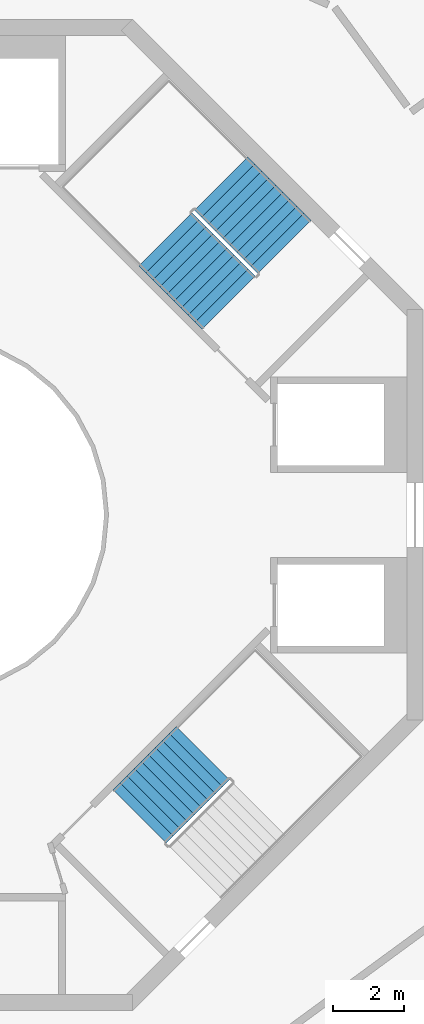
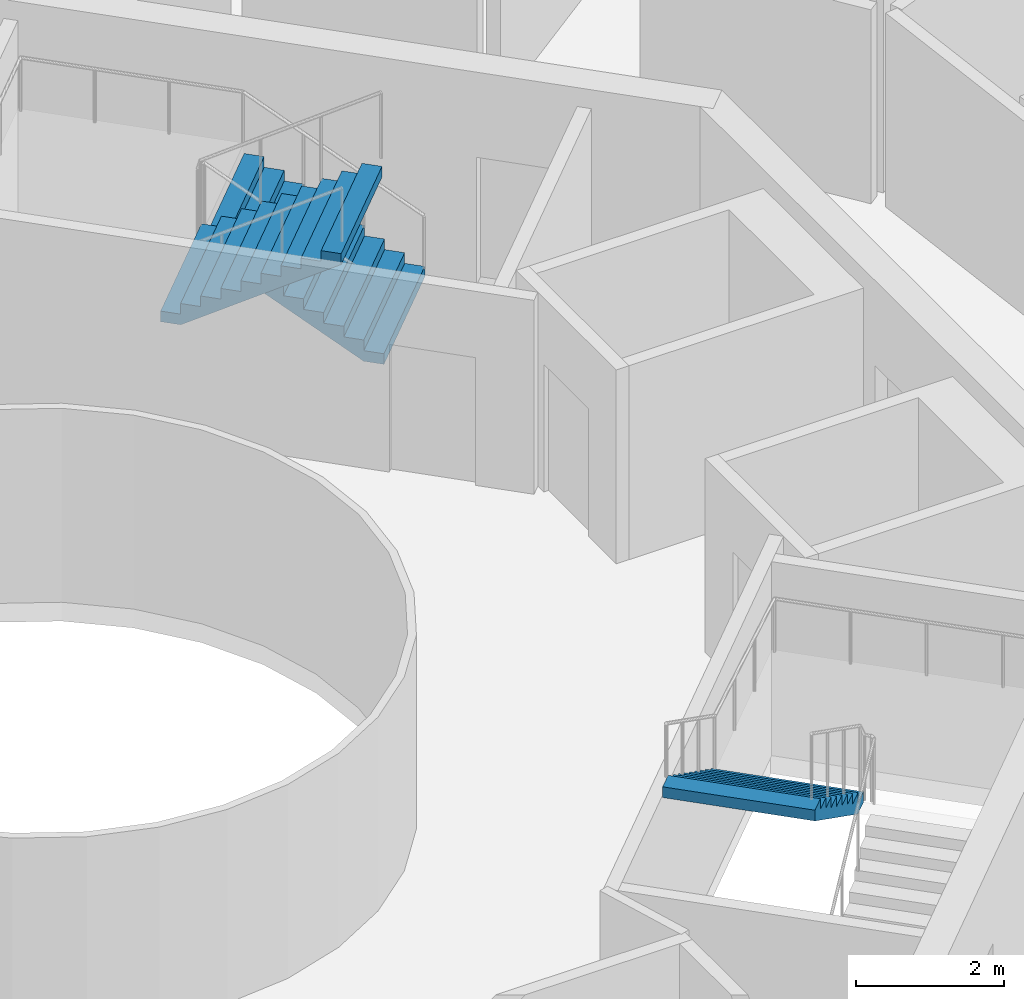
# One storey, part 23 of 24: 3 stair flights, 2 elements without a shape of their own.
"""IFC4 building model written with IfcOpenShell, lengths in metres."""

import ifcopenshell
import ifcopenshell.guid

model = None  # the IFC model being written
_history = None  # IfcOwnerHistory: only IFC2X3 demands one
_inside = {}  # id of a spatial element -> (the spatial element, [elements in it])
_under = {}  # id of a project, library or spatial element -> (it, [spatial elements below it])
_declared = {}  # id of a project -> (the project, [libraries it declares])
_typed = {}  # id of a type object -> (the type object, [elements of that type])
_made_of = {}  # id of a material, layer set ... -> (it, [elements and type objects made of it])


def new_model(schema):
    """Start an empty IFC model of exactly this schema.

    Asked for "IFC4X3", IfcOpenShell would pick the latest addendum, in which some entities
    have other attributes; the version numbers below select the first issue.
    IFC2X3 requires an IfcOwnerHistory on every rooted entity: one is made here for all.
    """
    global model, _history
    if schema == "IFC4X3":
        model = ifcopenshell.file(schema_version=(4, 3, 0, 0))
    else:
        model = ifcopenshell.file(schema=schema)
    _inside.clear()
    _under.clear()
    _declared.clear()
    _typed.clear()
    _made_of.clear()
    _history = None
    if model.schema == "IFC2X3":
        org = make("IfcOrganization", Name="unknown")
        user = make(
            "IfcPersonAndOrganization",
            ThePerson=make("IfcPerson", FamilyName="unknown"),
            TheOrganization=org,
        )
        app = make(
            "IfcApplication",
            ApplicationDeveloper=org,
            Version="unknown",
            ApplicationFullName="unknown",
            ApplicationIdentifier="unknown",
        )
        _history = make(
            "IfcOwnerHistory",
            OwningUser=user,
            OwningApplication=app,
            ChangeAction="ADDED",
            CreationDate=0,
        )
    return model


def make(cls, **values):
    """One entity of the class cls with the attributes given. An attribute that is None is left unset."""
    return model.create_entity(
        cls, **{name: value for name, value in values.items() if value is not None}
    )


def rooted(cls, **values):
    """An entity with a GlobalId (a new one), such as an element, a storey or a relation."""
    return make(cls, GlobalId=ifcopenshell.guid.new(), OwnerHistory=_history, **values)


def si_unit(unit_type, name, prefix=None):
    """IfcSIUnit, for example si_unit("LENGTHUNIT", "METRE", prefix="MILLI")."""
    return make("IfcSIUnit", UnitType=unit_type, Prefix=prefix, Name=name)


def assignment(units):
    """IfcUnitAssignment: the units of a project."""
    return None if units is None else make("IfcUnitAssignment", Units=units)


def point(xyz):
    """IfcCartesianPoint."""
    return None if xyz is None else make("IfcCartesianPoint", Coordinates=xyz)


def direction(xyz):
    """IfcDirection."""
    return None if xyz is None else make("IfcDirection", DirectionRatios=xyz)


def frame(location, z_axis=None, x_axis=None):
    """IfcAxis2Placement3D, a coordinate frame: its origin and axes. An axis left out is left unset."""
    return make(
        "IfcAxis2Placement3D",
        Location=point(location),
        Axis=direction(z_axis),
        RefDirection=direction(x_axis),
    )


def origin():
    """The frame at (0, 0, 0) with its axes left unset."""
    return frame((0.0, 0.0, 0.0))


def place(relative_to, where):
    """IfcLocalPlacement: puts the frame where relative to a parent placement (None: the world)."""
    return make(
        "IfcLocalPlacement", PlacementRelTo=relative_to, RelativePlacement=where
    )


def context(
    kind, dimensions, precision=None, world=None, true_north=None, identifier=None
):
    """IfcGeometricRepresentationContext, for example the 3D "Model" context."""
    return make(
        "IfcGeometricRepresentationContext",
        ContextIdentifier=identifier,
        ContextType=kind,
        CoordinateSpaceDimension=dimensions,
        Precision=precision,
        WorldCoordinateSystem=world,
        TrueNorth=true_north,
    )


def subcontext(parent, identifier, kind, view, scale=None):
    """IfcGeometricRepresentationSubContext, for example "Body" below "Model"."""
    return make(
        "IfcGeometricRepresentationSubContext",
        ContextIdentifier=identifier,
        ContextType=kind,
        ParentContext=parent,
        TargetScale=scale,
        TargetView=view,
    )


def project(units=None, contexts=None):
    """IfcProject with its units and contexts."""
    return rooted(
        "IfcProject",
        Name="project",
        RepresentationContexts=contexts,
        UnitsInContext=assignment(units),
    )


def spatial(cls, under=None, at=None, **own):
    """A site, building, storey or space (cls), placed at a placement, below another one or the project."""
    s = rooted(cls, ObjectPlacement=at, **own)
    if under is not None:
        _under.setdefault(under.id(), (under, []))[1].append(s)
    return s


def point_list(points):
    """IfcCartesianPointList2D or 3D."""
    cls = (
        "IfcCartesianPointList2D" if len(points[0]) == 2 else "IfcCartesianPointList3D"
    )
    return make(cls, CoordList=points)


def triangles(points, corners, closed=None, point_numbers=None):
    """IfcTriangulatedFaceSet: each triangle names its three corners, points numbered from 1."""
    return make(
        "IfcTriangulatedFaceSet",
        Coordinates=point_list(points),
        Closed=closed,
        CoordIndex=corners,
        PnIndex=point_numbers,
    )


def shape(context_of_items, identifier, shape_type, items):
    """IfcShapeRepresentation: the items that make up one representation, for example the "Body"."""
    return make(
        "IfcShapeRepresentation",
        ContextOfItems=context_of_items,
        RepresentationIdentifier=identifier,
        RepresentationType=shape_type,
        Items=items,
    )


def material(Name=None, Category=None):
    """IfcMaterial."""
    return make("IfcMaterial", Name=Name, Category=Category)


def made_of(thing, what):
    """Note that an element or type object is made of a material, layer set ...; save() writes the relation."""
    if what is not None:
        _made_of.setdefault(what.id(), (what, []))[1].append(thing)
    return thing


def type_object(cls, material=None, **own):
    """A type object (cls), such as IfcWallType, which elements share."""
    return made_of(rooted(cls, **own), material)


def element(
    cls,
    number,
    at=None,
    inside=None,
    cuts=None,
    type_object=None,
    material=None,
    context=None,
    identifier="Body",
    shape_type=None,
    held_by="IfcProductDefinitionShape",
    body=None,
    shapes=None,
    **own,
):
    """One element of the class cls, such as IfcWall. Its Tag is "e" and its number.

    at: its placement. inside: the storey or other place that contains it. cuts: it is an
    opening in that element (IfcRelVoidsElement). A single representation is given by context,
    identifier, shape_type and body (its items); several are given by shapes. held_by: the class
    of the entity that holds the representations. save() writes the other relations.
    """
    e = rooted(cls, Tag="e%d" % number, ObjectPlacement=at, **own)
    if body is not None:
        shapes = [shape(context, identifier, shape_type, body)]
    if shapes is not None:
        e.Representation = make(held_by, Representations=shapes)
    if inside is not None:
        _inside.setdefault(inside.id(), (inside, []))[1].append(e)
    if cuts is not None:
        rooted(
            "IfcRelVoidsElement", RelatingBuildingElement=cuts, RelatedOpeningElement=e
        )
    if type_object is not None:
        _typed.setdefault(type_object.id(), (type_object, []))[1].append(e)
    return made_of(e, material)


def aggregate(whole, parts):
    """IfcRelAggregates: a whole, such as a stair, and the parts it consists of."""
    return rooted("IfcRelAggregates", RelatingObject=whole, RelatedObjects=parts)


def save(model, path):
    """Write the relations noted so far, then the file.

    IfcRelAggregates (storeys below a building ...), IfcRelContainedInSpatialStructure (elements
    in a storey), IfcRelDefinesByType, IfcRelAssociatesMaterial and IfcRelDeclares: one each for
    every whole, place, type object, material and project.
    """
    for whole, parts in _under.values():
        aggregate(whole, parts)
    for where, things in _inside.values():
        rooted(
            "IfcRelContainedInSpatialStructure",
            RelatedElements=things,
            RelatingStructure=where,
        )
    for kind, things in _typed.values():
        rooted("IfcRelDefinesByType", RelatedObjects=things, RelatingType=kind)
    for what, things in _made_of.values():
        rooted("IfcRelAssociatesMaterial", RelatedObjects=things, RelatingMaterial=what)
    for by, libraries in _declared.values():
        rooted("IfcRelDeclares", RelatingContext=by, RelatedDefinitions=libraries)
    model.write(path)


model = new_model("IFC4")

# Units and contexts
model_context = context("Model", 3, precision=1e-05, world=origin(), true_north=direction((0.0, 1.0)))
body_context = subcontext(model_context, "Body", "Model", "MODEL_VIEW")
ifc_project = project(units=[si_unit("LENGTHUNIT", "METRE"), si_unit("AREAUNIT", "SQUARE_METRE"), si_unit("VOLUMEUNIT", "CUBIC_METRE"), si_unit("PLANEANGLEUNIT", "RADIAN"), si_unit("MASSUNIT", "GRAM", prefix="KILO")], contexts=[model_context])

# Site, building, storey
site_placement = place(None, origin())
site = spatial("IfcSite", under=ifc_project, at=site_placement, CompositionType="ELEMENT")
building_placement = place(site_placement, origin())
building = spatial("IfcBuilding", under=site, at=building_placement, Name="Verdalira Terraces Hotel", CompositionType="ELEMENT")
storey_placement = place(building_placement, frame((0.0, 0.0, 303.0)))
storey = spatial("IfcBuildingStorey", under=building, at=storey_placement, Name="L75", CompositionType="ELEMENT", Elevation=303.0)

# Stair, stair flights
ifc_material_1 = material(Name="Concrete C40", Category="concrete")
stair_type = type_object("IfcStairType", Name="Core stair 20 risers 2125 mm wide", PredefinedType="HALF_TURN_STAIR", material=ifc_material_1)
stair_1_placement = place(storey_placement, origin())
stair_1 = element("IfcStair", 1, at=stair_1_placement, inside=storey, type_object=stair_type, Name="L75 Exit stair ST1", PredefinedType="HALF_TURN_STAIR")
ifc_material_2 = material(Name="Concrete C40", Category="concrete")
stair_flight_type = type_object("IfcStairFlightType", Name="Core stair flight 20 risers 2125 mm wide", PredefinedType="STRAIGHT", material=ifc_material_2)
stair_flight_1_placement = place(storey_placement, frame((10.085205, 7.574951, 0.0), z_axis=(0.0, 0.0, 1.0), x_axis=(-0.707106781, 0.707106781, 0.0)))
stair_flight_1 = element("IfcStairFlight", 2, at=stair_flight_1_placement, type_object=stair_flight_type, Name="ST1 flight 1", NumberOfRisers=10, NumberOfTreads=9, PredefinedType="STRAIGHT", RiserHeight=0.175, TreadLength=0.28, context=body_context, shape_type="Tessellation", body=[
    triangles([(0.0, 1.0625, 0.0), (0.282715, 1.0625, 0.0), (2.52002, 1.0625, 1.398193), (0.0, -1.0625, 0.0), (0.282715, -1.0625, 0.0), (2.52002, -1.0625, 1.398193), (2.52002, 1.0625, 1.574951), (2.23999, 1.0625, 1.574951), (2.52002, -1.0625, 1.574951), (2.23999, -1.0625, 1.574951), (2.23999, 1.0625, 1.399902), (2.23999, -1.0625, 1.399902), (1.959961, 1.0625, 1.399902), (1.959961, -1.0625, 1.399902), (1.959961, 1.0625, 1.225098), (1.959961, -1.0625, 1.225098), (1.679932, 1.0625, 1.225098), (1.679932, 1.0625, 1.050049), (1.679932, -1.0625, 1.225098), (1.679932, -1.0625, 1.050049), (1.399902, 1.0625, 1.050049), (1.399902, 1.0625, 0.875), (1.399902, -1.0625, 1.050049), (1.399902, -1.0625, 0.875), (1.120117, 1.0625, 0.875), (1.120117, 1.0625, 0.699951), (1.120117, -1.0625, 0.875), (1.120117, -1.0625, 0.699951), (0.840088, 1.0625, 0.699951), (0.840088, 1.0625, 0.524902), (0.840088, -1.0625, 0.699951), (0.840088, -1.0625, 0.524902), (0.560059, 1.0625, 0.524902), (0.560059, 1.0625, 0.350098), (0.560059, -1.0625, 0.524902), (0.560059, -1.0625, 0.350098), (0.280029, 1.0625, 0.350098), (0.280029, 1.0625, 0.175049), (0.280029, -1.0625, 0.350098), (0.280029, -1.0625, 0.175049), (0.0, 1.0625, 0.175049), (0.0, -1.0625, 0.175049), (0.0, -0.996094, 0.0), (0.0, -0.996094, 0.175049), (0.0, -0.929688, 0.0), (0.0, -0.929688, 0.175049), (0.0, -0.863281, 0.0), (0.0, -0.863281, 0.175049), (0.0, -0.796875, 0.0), (0.0, -0.796875, 0.175049), (0.0, -0.730469, 0.0), (0.0, -0.730469, 0.175049), (0.0, -0.664062, 0.0), (0.0, -0.664062, 0.175049), (0.0, -0.597656, 0.0), (0.0, -0.597656, 0.175049), (0.0, -0.53125, 0.0), (0.0, -0.53125, 0.175049), (0.0, -0.464844, 0.0), (0.0, -0.464844, 0.175049), (0.0, -0.398438, 0.0), (0.0, -0.398438, 0.175049), (0.0, -0.332031, 0.0), (0.0, -0.332031, 0.175049), (0.0, -0.265625, 0.0), (0.0, -0.265625, 0.175049), (0.0, -0.199219, 0.0), (0.0, -0.199219, 0.175049), (0.0, -0.132812, 0.0), (0.0, -0.132812, 0.175049), (0.0, -0.066406, 0.0), (0.0, -0.066406, 0.175049), (0.0, 0.0, 0.0), (0.0, 0.0, 0.175049), (0.0, 0.066406, 0.0), (0.0, 0.066406, 0.175049), (0.0, 0.132812, 0.0), (0.0, 0.132812, 0.175049), (0.0, 0.199219, 0.0), (0.0, 0.199219, 0.175049), (0.0, 0.265625, 0.0), (0.0, 0.265625, 0.175049), (0.0, 0.332031, 0.0), (0.0, 0.332031, 0.175049), (0.0, 0.398438, 0.0), (0.0, 0.398438, 0.175049), (0.0, 0.464844, 0.0), (0.0, 0.464844, 0.175049), (0.0, 0.53125, 0.0), (0.0, 0.53125, 0.175049), (0.0, 0.597656, 0.0), (0.0, 0.597656, 0.175049), (0.0, 0.664062, 0.0), (0.0, 0.664062, 0.175049), (0.0, 0.730469, 0.0), (0.0, 0.730469, 0.175049), (0.0, 0.796875, 0.0), (0.0, 0.796875, 0.175049), (0.0, 0.863281, 0.0), (0.0, 0.863281, 0.175049), (0.0, 0.929688, 0.0), (0.0, 0.929688, 0.175049), (0.0, 0.996094, 0.0), (0.0, 0.996094, 0.175049), (2.52002, -0.996094, 1.574951), (2.52002, -0.929688, 1.574951), (2.52002, -0.863281, 1.574951), (2.52002, -0.796875, 1.574951), (2.52002, -0.730469, 1.574951), (2.52002, -0.664062, 1.574951), (2.52002, -0.597656, 1.574951), (2.52002, -0.53125, 1.574951), (2.52002, -0.464844, 1.574951), (2.52002, -0.398438, 1.574951), (2.52002, -0.332031, 1.574951), (2.52002, -0.265625, 1.574951), (2.52002, -0.199219, 1.574951), (2.52002, -0.132812, 1.574951), (2.52002, -0.066406, 1.574951), (2.52002, 0.0, 1.574951), (2.52002, 0.066406, 1.574951), (2.52002, 0.132812, 1.574951), (2.52002, 0.199219, 1.574951), (2.52002, 0.265625, 1.574951), (2.52002, 0.332031, 1.574951), (2.52002, 0.398438, 1.574951), (2.52002, 0.464844, 1.574951), (2.52002, 0.53125, 1.574951), (2.52002, 0.597656, 1.574951), (2.52002, 0.664062, 1.574951), (2.52002, 0.730469, 1.574951), (2.52002, 0.796875, 1.574951), (2.52002, 0.863281, 1.574951), (2.52002, 0.929688, 1.574951), (2.52002, 0.996094, 1.574951), (2.52002, -0.996094, 1.398193), (2.52002, -0.929688, 1.398193), (2.52002, -0.863281, 1.398193), (2.52002, -0.796875, 1.398193), (2.52002, -0.730469, 1.398193), (2.52002, -0.664062, 1.398193), (2.52002, -0.597656, 1.398193), (2.52002, -0.53125, 1.398193), (2.52002, -0.464844, 1.398193), (2.52002, -0.398438, 1.398193), (2.52002, -0.332031, 1.398193), (2.52002, -0.265625, 1.398193), (2.52002, -0.199219, 1.398193), (2.52002, -0.132812, 1.398193), (2.52002, -0.066406, 1.398193), (2.52002, 0.0, 1.398193), (2.52002, 0.066406, 1.398193), (2.52002, 0.132812, 1.398193), (2.52002, 0.199219, 1.398193), (2.52002, 0.265625, 1.398193), (2.52002, 0.332031, 1.398193), (2.52002, 0.398438, 1.398193), (2.52002, 0.464844, 1.398193), (2.52002, 0.53125, 1.398193), (2.52002, 0.597656, 1.398193), (2.52002, 0.664062, 1.398193), (2.52002, 0.730469, 1.398193), (2.52002, 0.796875, 1.398193), (2.52002, 0.863281, 1.398193), (2.52002, 0.929688, 1.398193), (2.52002, 0.996094, 1.398193)], [[1, 3, 2], [4, 5, 6], [3, 8, 7], [6, 9, 10], [3, 11, 8], [6, 10, 12], [3, 13, 11], [6, 12, 14], [3, 15, 13], [6, 14, 16], [15, 18, 17], [16, 19, 20], [3, 18, 15], [6, 16, 20], [18, 22, 21], [20, 23, 24], [3, 22, 18], [6, 20, 24], [22, 26, 25], [24, 27, 28], [3, 26, 22], [6, 24, 28], [26, 30, 29], [28, 31, 32], [3, 30, 26], [6, 28, 32], [1, 30, 3], [4, 6, 32], [30, 34, 33], [32, 35, 36], [34, 38, 37], [36, 39, 40], [30, 38, 34], [32, 36, 40], [1, 38, 30], [4, 32, 40], [38, 1, 41], [40, 42, 4], [4, 44, 43], [4, 42, 44], [43, 46, 45], [43, 44, 46], [45, 48, 47], [45, 46, 48], [47, 50, 49], [47, 48, 50], [49, 52, 51], [49, 50, 52], [51, 54, 53], [51, 52, 54], [53, 56, 55], [53, 54, 56], [55, 58, 57], [55, 56, 58], [57, 60, 59], [57, 58, 60], [59, 62, 61], [59, 60, 62], [61, 64, 63], [61, 62, 64], [63, 66, 65], [63, 64, 66], [65, 68, 67], [65, 66, 68], [67, 70, 69], [67, 68, 70], [69, 72, 71], [69, 70, 72], [71, 74, 73], [71, 72, 74], [73, 76, 75], [73, 74, 76], [75, 78, 77], [75, 76, 78], [77, 80, 79], [77, 78, 80], [79, 82, 81], [79, 80, 82], [81, 84, 83], [81, 82, 84], [83, 86, 85], [83, 84, 86], [85, 88, 87], [85, 86, 88], [87, 90, 89], [87, 88, 90], [89, 92, 91], [89, 90, 92], [91, 94, 93], [91, 92, 94], [93, 96, 95], [93, 94, 96], [95, 98, 97], [95, 96, 98], [97, 100, 99], [97, 98, 100], [99, 102, 101], [99, 100, 102], [101, 104, 103], [101, 102, 104], [103, 41, 1], [103, 104, 41], [42, 40, 44], [44, 40, 46], [46, 40, 48], [48, 40, 50], [50, 40, 52], [52, 40, 54], [54, 40, 56], [56, 40, 58], [58, 40, 60], [60, 40, 62], [62, 40, 64], [64, 40, 66], [66, 40, 68], [68, 40, 70], [70, 40, 72], [72, 40, 74], [74, 40, 76], [76, 40, 78], [78, 40, 80], [80, 40, 82], [82, 40, 84], [84, 40, 86], [86, 40, 88], [88, 40, 90], [90, 40, 92], [92, 40, 94], [94, 40, 96], [96, 40, 98], [98, 40, 100], [100, 40, 102], [102, 40, 104], [104, 40, 41], [41, 40, 38], [40, 37, 38], [40, 39, 37], [39, 34, 37], [39, 36, 34], [36, 33, 34], [36, 35, 33], [35, 30, 33], [35, 32, 30], [32, 29, 30], [32, 31, 29], [31, 26, 29], [31, 28, 26], [28, 25, 26], [28, 27, 25], [27, 22, 25], [27, 24, 22], [24, 21, 22], [24, 23, 21], [23, 18, 21], [23, 20, 18], [20, 17, 18], [20, 19, 17], [19, 15, 17], [19, 16, 15], [16, 13, 15], [16, 14, 13], [14, 11, 13], [14, 12, 11], [12, 8, 11], [12, 10, 8], [9, 105, 10], [105, 106, 10], [106, 107, 10], [107, 108, 10], [108, 109, 10], [109, 110, 10], [110, 111, 10], [111, 112, 10], [112, 113, 10], [113, 114, 10], [114, 115, 10], [115, 116, 10], [116, 117, 10], [117, 118, 10], [118, 119, 10], [119, 120, 10], [120, 121, 10], [121, 122, 10], [122, 123, 10], [123, 124, 10], [124, 125, 10], [125, 126, 10], [126, 127, 10], [127, 128, 10], [128, 129, 10], [129, 130, 10], [130, 131, 10], [131, 132, 10], [132, 133, 10], [133, 134, 10], [134, 135, 10], [135, 7, 10], [7, 8, 10], [9, 136, 105], [9, 6, 136], [105, 137, 106], [105, 136, 137], [106, 138, 107], [106, 137, 138], [107, 139, 108], [107, 138, 139], [108, 140, 109], [108, 139, 140], [109, 141, 110], [109, 140, 141], [110, 142, 111], [110, 141, 142], [111, 143, 112], [111, 142, 143], [112, 144, 113], [112, 143, 144], [113, 145, 114], [113, 144, 145], [114, 146, 115], [114, 145, 146], [115, 147, 116], [115, 146, 147], [116, 148, 117], [116, 147, 148], [117, 149, 118], [117, 148, 149], [118, 150, 119], [118, 149, 150], [119, 151, 120], [119, 150, 151], [120, 152, 121], [120, 151, 152], [121, 153, 122], [121, 152, 153], [122, 154, 123], [122, 153, 154], [123, 155, 124], [123, 154, 155], [124, 156, 125], [124, 155, 156], [125, 157, 126], [125, 156, 157], [126, 158, 127], [126, 157, 158], [127, 159, 128], [127, 158, 159], [128, 160, 129], [128, 159, 160], [129, 161, 130], [129, 160, 161], [130, 162, 131], [130, 161, 162], [131, 163, 132], [131, 162, 163], [132, 164, 133], [132, 163, 164], [133, 165, 134], [133, 164, 165], [134, 166, 135], [134, 165, 166], [135, 3, 7], [135, 166, 3], [6, 5, 136], [136, 5, 137], [137, 5, 138], [138, 5, 139], [139, 5, 140], [140, 5, 141], [141, 5, 142], [142, 5, 143], [143, 5, 144], [144, 5, 145], [145, 5, 146], [146, 5, 147], [147, 5, 148], [148, 5, 149], [149, 5, 150], [150, 5, 151], [151, 5, 152], [152, 5, 153], [153, 5, 154], [154, 5, 155], [155, 5, 156], [156, 5, 157], [157, 5, 158], [158, 5, 159], [159, 5, 160], [160, 5, 161], [161, 5, 162], [162, 5, 163], [163, 5, 164], [164, 5, 165], [165, 5, 166], [166, 5, 3], [3, 5, 2], [4, 43, 5], [43, 45, 5], [45, 47, 5], [47, 49, 5], [49, 51, 5], [51, 53, 5], [53, 55, 5], [55, 57, 5], [57, 59, 5], [59, 61, 5], [61, 63, 5], [63, 65, 5], [65, 67, 5], [67, 69, 5], [69, 71, 5], [71, 73, 5], [73, 75, 5], [75, 77, 5], [77, 79, 5], [79, 81, 5], [81, 83, 5], [83, 85, 5], [85, 87, 5], [87, 89, 5], [89, 91, 5], [91, 93, 5], [93, 95, 5], [95, 97, 5], [97, 99, 5], [99, 101, 5], [101, 103, 5], [103, 1, 5], [1, 2, 5]], closed=True),
])
stair_flight_2_placement = place(storey_placement, frame((6.72998, 7.783447, 1.75), z_axis=(0.0, 0.0, 1.0), x_axis=(0.707106781, -0.707106781, 0.0)))
stair_flight_2 = element("IfcStairFlight", 3, at=stair_flight_2_placement, type_object=stair_flight_type, Name="ST1 flight 2", NumberOfRisers=10, NumberOfTreads=9, PredefinedType="STRAIGHT", RiserHeight=0.175, TreadLength=0.28, context=body_context, shape_type="Tessellation", body=[
    triangles([(0.0, 1.0625, 0.0), (0.282715, 1.0625, 0.0), (2.52002, 1.0625, 1.398193), (0.0, -1.0625, 0.0), (0.282715, -1.0625, 0.0), (2.52002, -1.0625, 1.398193), (2.52002, 1.0625, 1.574951), (2.23999, 1.0625, 1.574951), (2.52002, -1.0625, 1.574951), (2.23999, -1.0625, 1.574951), (2.23999, 1.0625, 1.399902), (2.23999, -1.0625, 1.399902), (1.959961, 1.0625, 1.399902), (1.959961, -1.0625, 1.399902), (1.959961, 1.0625, 1.225098), (1.959961, -1.0625, 1.225098), (1.679932, 1.0625, 1.225098), (1.679932, 1.0625, 1.050049), (1.679932, -1.0625, 1.225098), (1.679932, -1.0625, 1.050049), (1.399902, 1.0625, 1.050049), (1.399902, 1.0625, 0.875), (1.399902, -1.0625, 1.050049), (1.399902, -1.0625, 0.875), (1.120117, 1.0625, 0.875), (1.120117, 1.0625, 0.699951), (1.120117, -1.0625, 0.875), (1.120117, -1.0625, 0.699951), (0.840088, 1.0625, 0.699951), (0.840088, 1.0625, 0.524902), (0.840088, -1.0625, 0.699951), (0.840088, -1.0625, 0.524902), (0.560059, 1.0625, 0.524902), (0.560059, 1.0625, 0.350098), (0.560059, -1.0625, 0.524902), (0.560059, -1.0625, 0.350098), (0.280029, 1.0625, 0.350098), (0.280029, 1.0625, 0.175049), (0.280029, -1.0625, 0.350098), (0.280029, -1.0625, 0.175049), (0.0, 1.0625, 0.175049), (0.0, -1.0625, 0.175049), (0.0, -0.996094, 0.0), (0.0, -0.996094, 0.175049), (0.0, -0.929688, 0.0), (0.0, -0.929688, 0.175049), (0.0, -0.863281, 0.0), (0.0, -0.863281, 0.175049), (0.0, -0.796875, 0.0), (0.0, -0.796875, 0.175049), (0.0, -0.730469, 0.0), (0.0, -0.730469, 0.175049), (0.0, -0.664062, 0.0), (0.0, -0.664062, 0.175049), (0.0, -0.597656, 0.0), (0.0, -0.597656, 0.175049), (0.0, -0.53125, 0.0), (0.0, -0.53125, 0.175049), (0.0, -0.464844, 0.0), (0.0, -0.464844, 0.175049), (0.0, -0.398438, 0.0), (0.0, -0.398438, 0.175049), (0.0, -0.332031, 0.0), (0.0, -0.332031, 0.175049), (0.0, -0.265625, 0.0), (0.0, -0.265625, 0.175049), (0.0, -0.199219, 0.0), (0.0, -0.199219, 0.175049), (0.0, -0.132812, 0.0), (0.0, -0.132812, 0.175049), (0.0, -0.066406, 0.0), (0.0, -0.066406, 0.175049), (0.0, 0.0, 0.0), (0.0, 0.0, 0.175049), (0.0, 0.066406, 0.0), (0.0, 0.066406, 0.175049), (0.0, 0.132812, 0.0), (0.0, 0.132812, 0.175049), (0.0, 0.199219, 0.0), (0.0, 0.199219, 0.175049), (0.0, 0.265625, 0.0), (0.0, 0.265625, 0.175049), (0.0, 0.332031, 0.0), (0.0, 0.332031, 0.175049), (0.0, 0.398438, 0.0), (0.0, 0.398438, 0.175049), (0.0, 0.464844, 0.0), (0.0, 0.464844, 0.175049), (0.0, 0.53125, 0.0), (0.0, 0.53125, 0.175049), (0.0, 0.597656, 0.0), (0.0, 0.597656, 0.175049), (0.0, 0.664062, 0.0), (0.0, 0.664062, 0.175049), (0.0, 0.730469, 0.0), (0.0, 0.730469, 0.175049), (0.0, 0.796875, 0.0), (0.0, 0.796875, 0.175049), (0.0, 0.863281, 0.0), (0.0, 0.863281, 0.175049), (0.0, 0.929688, 0.0), (0.0, 0.929688, 0.175049), (0.0, 0.996094, 0.0), (0.0, 0.996094, 0.175049), (2.52002, -0.996094, 1.574951), (2.52002, -0.929688, 1.574951), (2.52002, -0.863281, 1.574951), (2.52002, -0.796875, 1.574951), (2.52002, -0.730469, 1.574951), (2.52002, -0.664062, 1.574951), (2.52002, -0.597656, 1.574951), (2.52002, -0.53125, 1.574951), (2.52002, -0.464844, 1.574951), (2.52002, -0.398438, 1.574951), (2.52002, -0.332031, 1.574951), (2.52002, -0.265625, 1.574951), (2.52002, -0.199219, 1.574951), (2.52002, -0.132812, 1.574951), (2.52002, -0.066406, 1.574951), (2.52002, 0.0, 1.574951), (2.52002, 0.066406, 1.574951), (2.52002, 0.132812, 1.574951), (2.52002, 0.199219, 1.574951), (2.52002, 0.265625, 1.574951), (2.52002, 0.332031, 1.574951), (2.52002, 0.398438, 1.574951), (2.52002, 0.464844, 1.574951), (2.52002, 0.53125, 1.574951), (2.52002, 0.597656, 1.574951), (2.52002, 0.664062, 1.574951), (2.52002, 0.730469, 1.574951), (2.52002, 0.796875, 1.574951), (2.52002, 0.863281, 1.574951), (2.52002, 0.929688, 1.574951), (2.52002, 0.996094, 1.574951), (2.52002, -0.996094, 1.398193), (2.52002, -0.929688, 1.398193), (2.52002, -0.863281, 1.398193), (2.52002, -0.796875, 1.398193), (2.52002, -0.730469, 1.398193), (2.52002, -0.664062, 1.398193), (2.52002, -0.597656, 1.398193), (2.52002, -0.53125, 1.398193), (2.52002, -0.464844, 1.398193), (2.52002, -0.398438, 1.398193), (2.52002, -0.332031, 1.398193), (2.52002, -0.265625, 1.398193), (2.52002, -0.199219, 1.398193), (2.52002, -0.132812, 1.398193), (2.52002, -0.066406, 1.398193), (2.52002, 0.0, 1.398193), (2.52002, 0.066406, 1.398193), (2.52002, 0.132812, 1.398193), (2.52002, 0.199219, 1.398193), (2.52002, 0.265625, 1.398193), (2.52002, 0.332031, 1.398193), (2.52002, 0.398438, 1.398193), (2.52002, 0.464844, 1.398193), (2.52002, 0.53125, 1.398193), (2.52002, 0.597656, 1.398193), (2.52002, 0.664062, 1.398193), (2.52002, 0.730469, 1.398193), (2.52002, 0.796875, 1.398193), (2.52002, 0.863281, 1.398193), (2.52002, 0.929688, 1.398193), (2.52002, 0.996094, 1.398193)], [[1, 3, 2], [4, 5, 6], [3, 8, 7], [6, 9, 10], [3, 11, 8], [6, 10, 12], [3, 13, 11], [6, 12, 14], [3, 15, 13], [6, 14, 16], [15, 18, 17], [16, 19, 20], [3, 18, 15], [6, 16, 20], [18, 22, 21], [20, 23, 24], [3, 22, 18], [6, 20, 24], [22, 26, 25], [24, 27, 28], [3, 26, 22], [6, 24, 28], [26, 30, 29], [28, 31, 32], [3, 30, 26], [6, 28, 32], [1, 30, 3], [4, 6, 32], [30, 34, 33], [32, 35, 36], [34, 38, 37], [36, 39, 40], [30, 38, 34], [32, 36, 40], [1, 38, 30], [4, 32, 40], [38, 1, 41], [40, 42, 4], [4, 44, 43], [4, 42, 44], [43, 46, 45], [43, 44, 46], [45, 48, 47], [45, 46, 48], [47, 50, 49], [47, 48, 50], [49, 52, 51], [49, 50, 52], [51, 54, 53], [51, 52, 54], [53, 56, 55], [53, 54, 56], [55, 58, 57], [55, 56, 58], [57, 60, 59], [57, 58, 60], [59, 62, 61], [59, 60, 62], [61, 64, 63], [61, 62, 64], [63, 66, 65], [63, 64, 66], [65, 68, 67], [65, 66, 68], [67, 70, 69], [67, 68, 70], [69, 72, 71], [69, 70, 72], [71, 74, 73], [71, 72, 74], [73, 76, 75], [73, 74, 76], [75, 78, 77], [75, 76, 78], [77, 80, 79], [77, 78, 80], [79, 82, 81], [79, 80, 82], [81, 84, 83], [81, 82, 84], [83, 86, 85], [83, 84, 86], [85, 88, 87], [85, 86, 88], [87, 90, 89], [87, 88, 90], [89, 92, 91], [89, 90, 92], [91, 94, 93], [91, 92, 94], [93, 96, 95], [93, 94, 96], [95, 98, 97], [95, 96, 98], [97, 100, 99], [97, 98, 100], [99, 102, 101], [99, 100, 102], [101, 104, 103], [101, 102, 104], [103, 41, 1], [103, 104, 41], [42, 40, 44], [44, 40, 46], [46, 40, 48], [48, 40, 50], [50, 40, 52], [52, 40, 54], [54, 40, 56], [56, 40, 58], [58, 40, 60], [60, 40, 62], [62, 40, 64], [64, 40, 66], [66, 40, 68], [68, 40, 70], [70, 40, 72], [72, 40, 74], [74, 40, 76], [76, 40, 78], [78, 40, 80], [80, 40, 82], [82, 40, 84], [84, 40, 86], [86, 40, 88], [88, 40, 90], [90, 40, 92], [92, 40, 94], [94, 40, 96], [96, 40, 98], [98, 40, 100], [100, 40, 102], [102, 40, 104], [104, 40, 41], [41, 40, 38], [40, 37, 38], [40, 39, 37], [39, 34, 37], [39, 36, 34], [36, 33, 34], [36, 35, 33], [35, 30, 33], [35, 32, 30], [32, 29, 30], [32, 31, 29], [31, 26, 29], [31, 28, 26], [28, 25, 26], [28, 27, 25], [27, 22, 25], [27, 24, 22], [24, 21, 22], [24, 23, 21], [23, 18, 21], [23, 20, 18], [20, 17, 18], [20, 19, 17], [19, 15, 17], [19, 16, 15], [16, 13, 15], [16, 14, 13], [14, 11, 13], [14, 12, 11], [12, 8, 11], [12, 10, 8], [9, 105, 10], [105, 106, 10], [106, 107, 10], [107, 108, 10], [108, 109, 10], [109, 110, 10], [110, 111, 10], [111, 112, 10], [112, 113, 10], [113, 114, 10], [114, 115, 10], [115, 116, 10], [116, 117, 10], [117, 118, 10], [118, 119, 10], [119, 120, 10], [120, 121, 10], [121, 122, 10], [122, 123, 10], [123, 124, 10], [124, 125, 10], [125, 126, 10], [126, 127, 10], [127, 128, 10], [128, 129, 10], [129, 130, 10], [130, 131, 10], [131, 132, 10], [132, 133, 10], [133, 134, 10], [134, 135, 10], [135, 7, 10], [7, 8, 10], [9, 136, 105], [9, 6, 136], [105, 137, 106], [105, 136, 137], [106, 138, 107], [106, 137, 138], [107, 139, 108], [107, 138, 139], [108, 140, 109], [108, 139, 140], [109, 141, 110], [109, 140, 141], [110, 142, 111], [110, 141, 142], [111, 143, 112], [111, 142, 143], [112, 144, 113], [112, 143, 144], [113, 145, 114], [113, 144, 145], [114, 146, 115], [114, 145, 146], [115, 147, 116], [115, 146, 147], [116, 148, 117], [116, 147, 148], [117, 149, 118], [117, 148, 149], [118, 150, 119], [118, 149, 150], [119, 151, 120], [119, 150, 151], [120, 152, 121], [120, 151, 152], [121, 153, 122], [121, 152, 153], [122, 154, 123], [122, 153, 154], [123, 155, 124], [123, 154, 155], [124, 156, 125], [124, 155, 156], [125, 157, 126], [125, 156, 157], [126, 158, 127], [126, 157, 158], [127, 159, 128], [127, 158, 159], [128, 160, 129], [128, 159, 160], [129, 161, 130], [129, 160, 161], [130, 162, 131], [130, 161, 162], [131, 163, 132], [131, 162, 163], [132, 164, 133], [132, 163, 164], [133, 165, 134], [133, 164, 165], [134, 166, 135], [134, 165, 166], [135, 3, 7], [135, 166, 3], [6, 5, 136], [136, 5, 137], [137, 5, 138], [138, 5, 139], [139, 5, 140], [140, 5, 141], [141, 5, 142], [142, 5, 143], [143, 5, 144], [144, 5, 145], [145, 5, 146], [146, 5, 147], [147, 5, 148], [148, 5, 149], [149, 5, 150], [150, 5, 151], [151, 5, 152], [152, 5, 153], [153, 5, 154], [154, 5, 155], [155, 5, 156], [156, 5, 157], [157, 5, 158], [158, 5, 159], [159, 5, 160], [160, 5, 161], [161, 5, 162], [162, 5, 163], [163, 5, 164], [164, 5, 165], [165, 5, 166], [166, 5, 3], [3, 5, 2], [4, 43, 5], [43, 45, 5], [45, 47, 5], [47, 49, 5], [49, 51, 5], [51, 53, 5], [53, 55, 5], [55, 57, 5], [57, 59, 5], [59, 61, 5], [61, 63, 5], [63, 65, 5], [65, 67, 5], [67, 69, 5], [69, 71, 5], [71, 73, 5], [73, 75, 5], [75, 77, 5], [77, 79, 5], [79, 81, 5], [81, 83, 5], [83, 85, 5], [85, 87, 5], [87, 89, 5], [89, 91, 5], [91, 93, 5], [93, 95, 5], [95, 97, 5], [97, 99, 5], [99, 101, 5], [101, 103, 5], [103, 1, 5], [1, 2, 5]], closed=True),
])
aggregate(stair_1, [stair_flight_1, stair_flight_2])

# Stair, stair flight
stair_2_placement = place(storey_placement, origin())
stair_2 = element("IfcStair", 4, at=stair_2_placement, inside=storey, type_object=stair_type, Name="L75 Exit stair ST3", PredefinedType="HALF_TURN_STAIR")
stair_flight_3_placement = place(storey_placement, frame((7.783447, -6.72998, 1.75), z_axis=(0.0, 0.0, 1.0), x_axis=(-0.707106781, -0.707106781, 0.0)))
stair_flight_3 = element("IfcStairFlight", 5, at=stair_flight_3_placement, type_object=stair_flight_type, Name="ST3 flight 2", NumberOfRisers=10, NumberOfTreads=9, PredefinedType="STRAIGHT", RiserHeight=0.175, TreadLength=0.28, context=body_context, shape_type="Tessellation", body=[
    triangles([(0.0, 1.0625, 0.0), (0.282715, 1.0625, 0.0), (2.52002, 1.0625, 1.398193), (0.0, -1.0625, 0.0), (0.282715, -1.0625, 0.0), (2.52002, -1.0625, 1.398193), (2.52002, 1.0625, 1.574951), (2.23999, 1.0625, 1.574951), (2.52002, -1.0625, 1.574951), (2.23999, -1.0625, 1.574951), (2.23999, 1.0625, 1.399902), (2.23999, -1.0625, 1.399902), (1.959961, 1.0625, 1.399902), (1.959961, -1.0625, 1.399902), (1.959961, 1.0625, 1.225098), (1.959961, -1.0625, 1.225098), (1.679932, 1.0625, 1.225098), (1.679932, 1.0625, 1.050049), (1.679932, -1.0625, 1.225098), (1.679932, -1.0625, 1.050049), (1.399902, 1.0625, 1.050049), (1.399902, 1.0625, 0.875), (1.399902, -1.0625, 1.050049), (1.399902, -1.0625, 0.875), (1.120117, 1.0625, 0.875), (1.120117, 1.0625, 0.699951), (1.120117, -1.0625, 0.875), (1.120117, -1.0625, 0.699951), (0.840088, 1.0625, 0.699951), (0.840088, 1.0625, 0.524902), (0.840088, -1.0625, 0.699951), (0.840088, -1.0625, 0.524902), (0.560059, 1.0625, 0.524902), (0.560059, 1.0625, 0.350098), (0.560059, -1.0625, 0.524902), (0.560059, -1.0625, 0.350098), (0.280029, 1.0625, 0.350098), (0.280029, 1.0625, 0.175049), (0.280029, -1.0625, 0.350098), (0.280029, -1.0625, 0.175049), (0.0, 1.0625, 0.175049), (0.0, -1.0625, 0.175049), (0.0, -0.996094, 0.0), (0.0, -0.996094, 0.175049), (0.0, -0.929688, 0.0), (0.0, -0.929688, 0.175049), (0.0, -0.863281, 0.0), (0.0, -0.863281, 0.175049), (0.0, -0.796875, 0.0), (0.0, -0.796875, 0.175049), (0.0, -0.730469, 0.0), (0.0, -0.730469, 0.175049), (0.0, -0.664062, 0.0), (0.0, -0.664062, 0.175049), (0.0, -0.597656, 0.0), (0.0, -0.597656, 0.175049), (0.0, -0.53125, 0.0), (0.0, -0.53125, 0.175049), (0.0, -0.464844, 0.0), (0.0, -0.464844, 0.175049), (0.0, -0.398438, 0.0), (0.0, -0.398438, 0.175049), (0.0, -0.332031, 0.0), (0.0, -0.332031, 0.175049), (0.0, -0.265625, 0.0), (0.0, -0.265625, 0.175049), (0.0, -0.199219, 0.0), (0.0, -0.199219, 0.175049), (0.0, -0.132812, 0.0), (0.0, -0.132812, 0.175049), (0.0, -0.066406, 0.0), (0.0, -0.066406, 0.175049), (0.0, 0.0, 0.0), (0.0, 0.0, 0.175049), (0.0, 0.066406, 0.0), (0.0, 0.066406, 0.175049), (0.0, 0.132812, 0.0), (0.0, 0.132812, 0.175049), (0.0, 0.199219, 0.0), (0.0, 0.199219, 0.175049), (0.0, 0.265625, 0.0), (0.0, 0.265625, 0.175049), (0.0, 0.332031, 0.0), (0.0, 0.332031, 0.175049), (0.0, 0.398438, 0.0), (0.0, 0.398438, 0.175049), (0.0, 0.464844, 0.0), (0.0, 0.464844, 0.175049), (0.0, 0.53125, 0.0), (0.0, 0.53125, 0.175049), (0.0, 0.597656, 0.0), (0.0, 0.597656, 0.175049), (0.0, 0.664062, 0.0), (0.0, 0.664062, 0.175049), (0.0, 0.730469, 0.0), (0.0, 0.730469, 0.175049), (0.0, 0.796875, 0.0), (0.0, 0.796875, 0.175049), (0.0, 0.863281, 0.0), (0.0, 0.863281, 0.175049), (0.0, 0.929688, 0.0), (0.0, 0.929688, 0.175049), (0.0, 0.996094, 0.0), (0.0, 0.996094, 0.175049), (2.52002, -0.996094, 1.574951), (2.52002, -0.929688, 1.574951), (2.52002, -0.863281, 1.574951), (2.52002, -0.796875, 1.574951), (2.52002, -0.730469, 1.574951), (2.52002, -0.664062, 1.574951), (2.52002, -0.597656, 1.574951), (2.52002, -0.53125, 1.574951), (2.52002, -0.464844, 1.574951), (2.52002, -0.398438, 1.574951), (2.52002, -0.332031, 1.574951), (2.52002, -0.265625, 1.574951), (2.52002, -0.199219, 1.574951), (2.52002, -0.132812, 1.574951), (2.52002, -0.066406, 1.574951), (2.52002, 0.0, 1.574951), (2.52002, 0.066406, 1.574951), (2.52002, 0.132812, 1.574951), (2.52002, 0.199219, 1.574951), (2.52002, 0.265625, 1.574951), (2.52002, 0.332031, 1.574951), (2.52002, 0.398438, 1.574951), (2.52002, 0.464844, 1.574951), (2.52002, 0.53125, 1.574951), (2.52002, 0.597656, 1.574951), (2.52002, 0.664062, 1.574951), (2.52002, 0.730469, 1.574951), (2.52002, 0.796875, 1.574951), (2.52002, 0.863281, 1.574951), (2.52002, 0.929688, 1.574951), (2.52002, 0.996094, 1.574951), (2.52002, -0.996094, 1.398193), (2.52002, -0.929688, 1.398193), (2.52002, -0.863281, 1.398193), (2.52002, -0.796875, 1.398193), (2.52002, -0.730469, 1.398193), (2.52002, -0.664062, 1.398193), (2.52002, -0.597656, 1.398193), (2.52002, -0.53125, 1.398193), (2.52002, -0.464844, 1.398193), (2.52002, -0.398438, 1.398193), (2.52002, -0.332031, 1.398193), (2.52002, -0.265625, 1.398193), (2.52002, -0.199219, 1.398193), (2.52002, -0.132812, 1.398193), (2.52002, -0.066406, 1.398193), (2.52002, 0.0, 1.398193), (2.52002, 0.066406, 1.398193), (2.52002, 0.132812, 1.398193), (2.52002, 0.199219, 1.398193), (2.52002, 0.265625, 1.398193), (2.52002, 0.332031, 1.398193), (2.52002, 0.398438, 1.398193), (2.52002, 0.464844, 1.398193), (2.52002, 0.53125, 1.398193), (2.52002, 0.597656, 1.398193), (2.52002, 0.664062, 1.398193), (2.52002, 0.730469, 1.398193), (2.52002, 0.796875, 1.398193), (2.52002, 0.863281, 1.398193), (2.52002, 0.929688, 1.398193), (2.52002, 0.996094, 1.398193)], [[1, 3, 2], [4, 5, 6], [3, 8, 7], [6, 9, 10], [3, 11, 8], [6, 10, 12], [3, 13, 11], [6, 12, 14], [3, 15, 13], [6, 14, 16], [15, 18, 17], [16, 19, 20], [3, 18, 15], [6, 16, 20], [18, 22, 21], [20, 23, 24], [3, 22, 18], [6, 20, 24], [22, 26, 25], [24, 27, 28], [3, 26, 22], [6, 24, 28], [26, 30, 29], [28, 31, 32], [3, 30, 26], [6, 28, 32], [1, 30, 3], [4, 6, 32], [30, 34, 33], [32, 35, 36], [34, 38, 37], [36, 39, 40], [30, 38, 34], [32, 36, 40], [1, 38, 30], [4, 32, 40], [38, 1, 41], [40, 42, 4], [4, 44, 43], [4, 42, 44], [43, 46, 45], [43, 44, 46], [45, 48, 47], [45, 46, 48], [47, 50, 49], [47, 48, 50], [49, 52, 51], [49, 50, 52], [51, 54, 53], [51, 52, 54], [53, 56, 55], [53, 54, 56], [55, 58, 57], [55, 56, 58], [57, 60, 59], [57, 58, 60], [59, 62, 61], [59, 60, 62], [61, 64, 63], [61, 62, 64], [63, 66, 65], [63, 64, 66], [65, 68, 67], [65, 66, 68], [67, 70, 69], [67, 68, 70], [69, 72, 71], [69, 70, 72], [71, 74, 73], [71, 72, 74], [73, 76, 75], [73, 74, 76], [75, 78, 77], [75, 76, 78], [77, 80, 79], [77, 78, 80], [79, 82, 81], [79, 80, 82], [81, 84, 83], [81, 82, 84], [83, 86, 85], [83, 84, 86], [85, 88, 87], [85, 86, 88], [87, 90, 89], [87, 88, 90], [89, 92, 91], [89, 90, 92], [91, 94, 93], [91, 92, 94], [93, 96, 95], [93, 94, 96], [95, 98, 97], [95, 96, 98], [97, 100, 99], [97, 98, 100], [99, 102, 101], [99, 100, 102], [101, 104, 103], [101, 102, 104], [103, 41, 1], [103, 104, 41], [42, 40, 44], [44, 40, 46], [46, 40, 48], [48, 40, 50], [50, 40, 52], [52, 40, 54], [54, 40, 56], [56, 40, 58], [58, 40, 60], [60, 40, 62], [62, 40, 64], [64, 40, 66], [66, 40, 68], [68, 40, 70], [70, 40, 72], [72, 40, 74], [74, 40, 76], [76, 40, 78], [78, 40, 80], [80, 40, 82], [82, 40, 84], [84, 40, 86], [86, 40, 88], [88, 40, 90], [90, 40, 92], [92, 40, 94], [94, 40, 96], [96, 40, 98], [98, 40, 100], [100, 40, 102], [102, 40, 104], [104, 40, 41], [41, 40, 38], [40, 37, 38], [40, 39, 37], [39, 34, 37], [39, 36, 34], [36, 33, 34], [36, 35, 33], [35, 30, 33], [35, 32, 30], [32, 29, 30], [32, 31, 29], [31, 26, 29], [31, 28, 26], [28, 25, 26], [28, 27, 25], [27, 22, 25], [27, 24, 22], [24, 21, 22], [24, 23, 21], [23, 18, 21], [23, 20, 18], [20, 17, 18], [20, 19, 17], [19, 15, 17], [19, 16, 15], [16, 13, 15], [16, 14, 13], [14, 11, 13], [14, 12, 11], [12, 8, 11], [12, 10, 8], [9, 105, 10], [105, 106, 10], [106, 107, 10], [107, 108, 10], [108, 109, 10], [109, 110, 10], [110, 111, 10], [111, 112, 10], [112, 113, 10], [113, 114, 10], [114, 115, 10], [115, 116, 10], [116, 117, 10], [117, 118, 10], [118, 119, 10], [119, 120, 10], [120, 121, 10], [121, 122, 10], [122, 123, 10], [123, 124, 10], [124, 125, 10], [125, 126, 10], [126, 127, 10], [127, 128, 10], [128, 129, 10], [129, 130, 10], [130, 131, 10], [131, 132, 10], [132, 133, 10], [133, 134, 10], [134, 135, 10], [135, 7, 10], [7, 8, 10], [9, 136, 105], [9, 6, 136], [105, 137, 106], [105, 136, 137], [106, 138, 107], [106, 137, 138], [107, 139, 108], [107, 138, 139], [108, 140, 109], [108, 139, 140], [109, 141, 110], [109, 140, 141], [110, 142, 111], [110, 141, 142], [111, 143, 112], [111, 142, 143], [112, 144, 113], [112, 143, 144], [113, 145, 114], [113, 144, 145], [114, 146, 115], [114, 145, 146], [115, 147, 116], [115, 146, 147], [116, 148, 117], [116, 147, 148], [117, 149, 118], [117, 148, 149], [118, 150, 119], [118, 149, 150], [119, 151, 120], [119, 150, 151], [120, 152, 121], [120, 151, 152], [121, 153, 122], [121, 152, 153], [122, 154, 123], [122, 153, 154], [123, 155, 124], [123, 154, 155], [124, 156, 125], [124, 155, 156], [125, 157, 126], [125, 156, 157], [126, 158, 127], [126, 157, 158], [127, 159, 128], [127, 158, 159], [128, 160, 129], [128, 159, 160], [129, 161, 130], [129, 160, 161], [130, 162, 131], [130, 161, 162], [131, 163, 132], [131, 162, 163], [132, 164, 133], [132, 163, 164], [133, 165, 134], [133, 164, 165], [134, 166, 135], [134, 165, 166], [135, 3, 7], [135, 166, 3], [6, 5, 136], [136, 5, 137], [137, 5, 138], [138, 5, 139], [139, 5, 140], [140, 5, 141], [141, 5, 142], [142, 5, 143], [143, 5, 144], [144, 5, 145], [145, 5, 146], [146, 5, 147], [147, 5, 148], [148, 5, 149], [149, 5, 150], [150, 5, 151], [151, 5, 152], [152, 5, 153], [153, 5, 154], [154, 5, 155], [155, 5, 156], [156, 5, 157], [157, 5, 158], [158, 5, 159], [159, 5, 160], [160, 5, 161], [161, 5, 162], [162, 5, 163], [163, 5, 164], [164, 5, 165], [165, 5, 166], [166, 5, 3], [3, 5, 2], [4, 43, 5], [43, 45, 5], [45, 47, 5], [47, 49, 5], [49, 51, 5], [51, 53, 5], [53, 55, 5], [55, 57, 5], [57, 59, 5], [59, 61, 5], [61, 63, 5], [63, 65, 5], [65, 67, 5], [67, 69, 5], [69, 71, 5], [71, 73, 5], [73, 75, 5], [75, 77, 5], [77, 79, 5], [79, 81, 5], [81, 83, 5], [83, 85, 5], [85, 87, 5], [87, 89, 5], [89, 91, 5], [91, 93, 5], [93, 95, 5], [95, 97, 5], [97, 99, 5], [99, 101, 5], [101, 103, 5], [103, 1, 5], [1, 2, 5]], closed=True),
])
aggregate(stair_2, [stair_flight_3])

save(model, "model.ifc")
